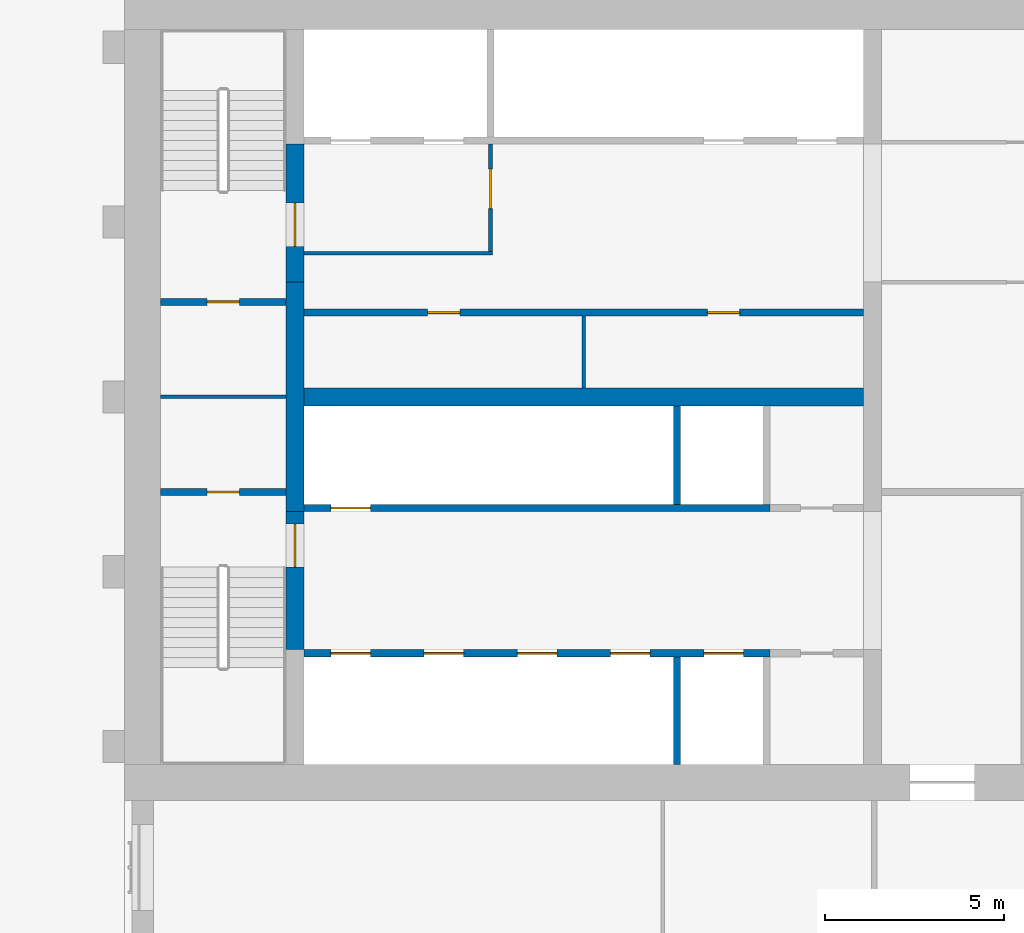
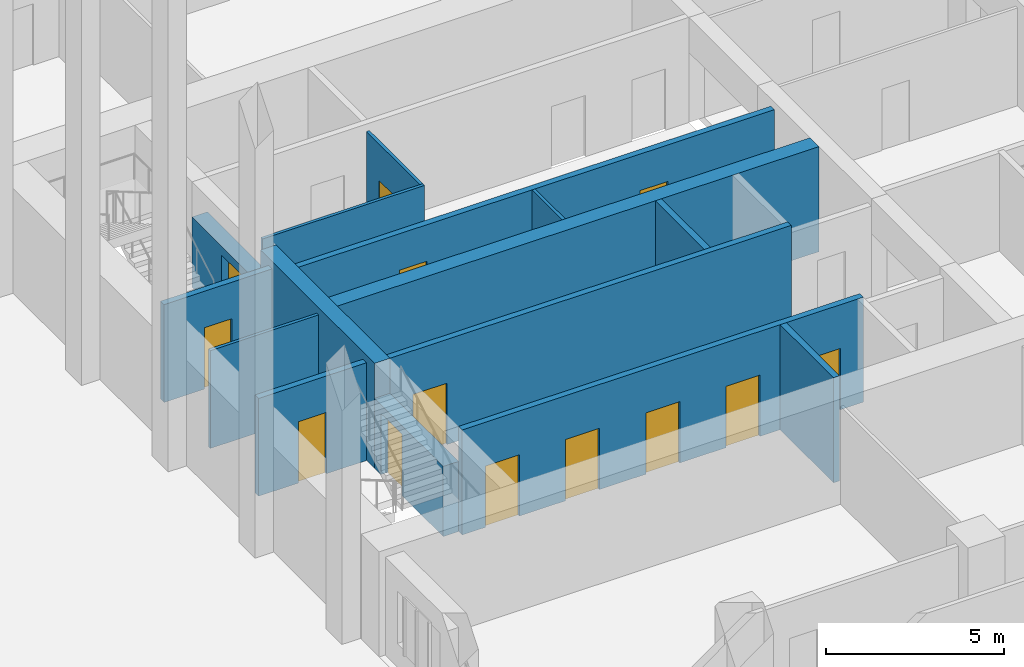
# One storey, part 12 of 27: 15 walls, 13 doors, 13 openings.
"""IFC4 building model written with IfcOpenShell, lengths in metres."""

from ifc_helpers import new_model, si_unit, direction, frame, frame_2d, origin, place, context, subcontext, project, spatial, rectangle, extrude, material, layer, layer_set, type_object, element, fill, save


model = new_model("IFC4")

# Units and contexts
model_context = context("Model", 3, precision=1e-05, world=origin(), true_north=direction((0.0, 1.0)))
body_context = subcontext(model_context, "Body", "Model", "MODEL_VIEW")
ifc_project = project(units=[si_unit("LENGTHUNIT", "METRE"), si_unit("AREAUNIT", "SQUARE_METRE"), si_unit("VOLUMEUNIT", "CUBIC_METRE"), si_unit("PLANEANGLEUNIT", "RADIAN"), si_unit("MASSUNIT", "GRAM", prefix="KILO")], contexts=[model_context])

# Site, building, storey
site_placement = place(None, origin())
site = spatial("IfcSite", under=ifc_project, at=site_placement, CompositionType="ELEMENT")
building_placement = place(site_placement, origin())
building = spatial("IfcBuilding", under=site, at=building_placement, Name="Tamorin Gate", CompositionType="ELEMENT")
storey_placement = place(building_placement, frame((0.0, 0.0, 34.0)))
storey = spatial("IfcBuildingStorey", under=building, at=storey_placement, Name="L06", CompositionType="ELEMENT", Elevation=34.0)

# Wall, openings, doors
ifc_material_1 = material(Name="Concrete C32/40", Category="concrete")
ifc_layer_1 = layer(ifc_material_1, 0.199951171875)
ifc_layer_set_1 = layer_set([ifc_layer_1], Name="Lift lobby face wall 200 EI 120")
wall_type_1 = type_object("IfcWallType", Name="Lift lobby face wall 200 EI 120", PredefinedType="SOLIDWALL", material=ifc_layer_set_1)
wall_1_placement = place(storey_placement, frame((35.0, 64.10009765625, 0.0), z_axis=(0.0, 0.0, 1.0), x_axis=(1.0, 0.0, 0.0)))
wall_1 = element("IfcWall", 1, at=wall_1_placement, inside=storey, type_object=wall_type_1, Name="Lift lobby face wall", PredefinedType="SOLIDWALL", context=body_context, shape_type="SweptSolid", body=[
    extrude(rectangle(XDim=13.0, YDim=0.199951171875, at=frame_2d((6.5, 0.0))), origin(), (0.0, 0.0, 1.0), 3.60009765625),
])
opening_1_placement = place(wall_1_placement, frame((0.75, 0.0, 0.0)))
opening_1 = element("IfcOpeningElement", 2, at=opening_1_placement, cuts=wall_1, Name="Opening LD1", PredefinedType="OPENING", context=body_context, shape_type="SweptSolid", body=[
    extrude(rectangle(XDim=1.10009765625, YDim=2.10009765625, at=frame_2d((0.550048828125, 1.050048828125))), frame((0.0, 0.10986328125, 0.0), z_axis=(0.0, -1.0, 0.0), x_axis=(1.0, 0.0, 0.0)), (0.0, 0.0, 1.0), 0.219970703125),
])
opening_2_placement = place(wall_1_placement, frame((3.35009765625, 0.0, 0.0)))
opening_2 = element("IfcOpeningElement", 3, at=opening_2_placement, cuts=wall_1, Name="Opening LD2", PredefinedType="OPENING", context=body_context, shape_type="SweptSolid", body=[
    extrude(rectangle(XDim=1.10009765625, YDim=2.10009765625, at=frame_2d((0.550048828125, 1.050048828125))), frame((0.0, 0.10986328125, 0.0), z_axis=(0.0, -1.0, 0.0), x_axis=(1.0, 0.0, 0.0)), (0.0, 0.0, 1.0), 0.219970703125),
])
opening_3_placement = place(wall_1_placement, frame((5.949951171875, 0.0, 0.0)))
opening_3 = element("IfcOpeningElement", 4, at=opening_3_placement, cuts=wall_1, Name="Opening LD3", PredefinedType="OPENING", context=body_context, shape_type="SweptSolid", body=[
    extrude(rectangle(XDim=1.10009765625, YDim=2.10009765625, at=frame_2d((0.550048828125, 1.050048828125))), frame((0.0, 0.10986328125, 0.0), z_axis=(0.0, -1.0, 0.0), x_axis=(1.0, 0.0, 0.0)), (0.0, 0.0, 1.0), 0.219970703125),
])
opening_4_placement = place(wall_1_placement, frame((8.550048828125, 0.0, 0.0)))
opening_4 = element("IfcOpeningElement", 5, at=opening_4_placement, cuts=wall_1, Name="Opening LD4", PredefinedType="OPENING", context=body_context, shape_type="SweptSolid", body=[
    extrude(rectangle(XDim=1.10009765625, YDim=2.10009765625, at=frame_2d((0.550048828125, 1.050048828125))), frame((0.0, 0.10986328125, 0.0), z_axis=(0.0, -1.0, 0.0), x_axis=(1.0, 0.0, 0.0)), (0.0, 0.0, 1.0), 0.219970703125),
])
opening_5_placement = place(wall_1_placement, frame((11.14990234375, 0.0, 0.0)))
opening_5 = element("IfcOpeningElement", 6, at=opening_5_placement, cuts=wall_1, Name="Opening LD5", PredefinedType="OPENING", context=body_context, shape_type="SweptSolid", body=[
    extrude(rectangle(XDim=1.10009765625, YDim=2.10009765625, at=frame_2d((0.550048828125, 1.050048828125))), frame((0.0, 0.10986328125, 0.0), z_axis=(0.0, -1.0, 0.0), x_axis=(1.0, 0.0, 0.0)), (0.0, 0.0, 1.0), 0.219970703125),
])
ifc_material_2 = material(Name="Stainless steel sliding door", Category="steel")
door_type_1 = type_object("IfcDoorType", Name="Lift landing door 1100 x 2100 E 90", OperationType="DOUBLE_DOOR_SLIDING", PredefinedType="DOOR", material=ifc_material_2)
door_1_placement = place(opening_1_placement, origin())
door_1 = element("IfcDoor", 7, at=door_1_placement, inside=storey, type_object=door_type_1, Name="LR1 landing door", OperationType="DOUBLE_DOOR_SLIDING", OverallHeight=2.10009765625, OverallWidth=1.10009765625, PredefinedType="DOOR", context=body_context, shape_type="SweptSolid", body=[
    extrude(rectangle(XDim=1.10009765625, YDim=2.10009765625, at=frame_2d((0.550048828125, 1.050048828125))), frame((0.0, 0.02490234375, 0.0), z_axis=(0.0, -1.0, 0.0), x_axis=(1.0, 0.0, 0.0)), (0.0, 0.0, 1.0), 0.050048828125),
])
fill(opening_1, door_1)
door_2_placement = place(opening_2_placement, origin())
door_2 = element("IfcDoor", 8, at=door_2_placement, inside=storey, type_object=door_type_1, Name="LR2 landing door", OperationType="DOUBLE_DOOR_SLIDING", OverallHeight=2.10009765625, OverallWidth=1.10009765625, PredefinedType="DOOR", context=body_context, shape_type="SweptSolid", body=[
    extrude(rectangle(XDim=1.10009765625, YDim=2.10009765625, at=frame_2d((0.550048828125, 1.050048828125))), frame((0.0, 0.02490234375, 0.0), z_axis=(0.0, -1.0, 0.0), x_axis=(1.0, 0.0, 0.0)), (0.0, 0.0, 1.0), 0.050048828125),
])
fill(opening_2, door_2)
door_3_placement = place(opening_3_placement, origin())
door_3 = element("IfcDoor", 9, at=door_3_placement, inside=storey, type_object=door_type_1, Name="LR3 landing door", OperationType="DOUBLE_DOOR_SLIDING", OverallHeight=2.10009765625, OverallWidth=1.10009765625, PredefinedType="DOOR", context=body_context, shape_type="SweptSolid", body=[
    extrude(rectangle(XDim=1.10009765625, YDim=2.10009765625, at=frame_2d((0.550048828125, 1.050048828125))), frame((0.0, 0.02490234375, 0.0), z_axis=(0.0, -1.0, 0.0), x_axis=(1.0, 0.0, 0.0)), (0.0, 0.0, 1.0), 0.050048828125),
])
fill(opening_3, door_3)
door_4_placement = place(opening_4_placement, origin())
door_4 = element("IfcDoor", 10, at=door_4_placement, inside=storey, type_object=door_type_1, Name="LR4 landing door", OperationType="DOUBLE_DOOR_SLIDING", OverallHeight=2.10009765625, OverallWidth=1.10009765625, PredefinedType="DOOR", context=body_context, shape_type="SweptSolid", body=[
    extrude(rectangle(XDim=1.10009765625, YDim=2.10009765625, at=frame_2d((0.550048828125, 1.050048828125))), frame((0.0, 0.02490234375, 0.0), z_axis=(0.0, -1.0, 0.0), x_axis=(1.0, 0.0, 0.0)), (0.0, 0.0, 1.0), 0.050048828125),
])
fill(opening_4, door_4)
door_5_placement = place(opening_5_placement, origin())
door_5 = element("IfcDoor", 11, at=door_5_placement, inside=storey, type_object=door_type_1, Name="LR5 landing door", OperationType="DOUBLE_DOOR_SLIDING", OverallHeight=2.10009765625, OverallWidth=1.10009765625, PredefinedType="DOOR", context=body_context, shape_type="SweptSolid", body=[
    extrude(rectangle(XDim=1.10009765625, YDim=2.10009765625, at=frame_2d((0.550048828125, 1.050048828125))), frame((0.0, 0.02490234375, 0.0), z_axis=(0.0, -1.0, 0.0), x_axis=(1.0, 0.0, 0.0)), (0.0, 0.0, 1.0), 0.050048828125),
])
fill(opening_5, door_5)

# Wall, opening, door
wall_2_placement = place(storey_placement, frame((35.0, 68.14990234375, 0.0), z_axis=(0.0, 0.0, 1.0), x_axis=(1.0, 0.0, 0.0)))
wall_2 = element("IfcWall", 12, at=wall_2_placement, inside=storey, type_object=wall_type_1, Name="Lift lobby face wall", PredefinedType="SOLIDWALL", context=body_context, shape_type="SweptSolid", body=[
    extrude(rectangle(XDim=13.0, YDim=0.199951171875, at=frame_2d((6.5, 0.0))), origin(), (0.0, 0.0, 1.0), 3.60009765625),
])
opening_6_placement = place(wall_2_placement, frame((0.75, 0.0, 0.0)))
opening_6 = element("IfcOpeningElement", 13, at=opening_6_placement, cuts=wall_2, Name="Opening LD6", PredefinedType="OPENING", context=body_context, shape_type="SweptSolid", body=[
    extrude(rectangle(XDim=1.10009765625, YDim=2.10009765625, at=frame_2d((0.550048828125, 1.050048828125))), frame((0.0, 0.10986328125, 0.0), z_axis=(0.0, -1.0, 0.0), x_axis=(1.0, 0.0, 0.0)), (0.0, 0.0, 1.0), 0.219970703125),
])
door_6_placement = place(opening_6_placement, origin())
door_6 = element("IfcDoor", 14, at=door_6_placement, inside=storey, type_object=door_type_1, Name="LR6 landing door", OperationType="DOUBLE_DOOR_SLIDING", OverallHeight=2.10009765625, OverallWidth=1.10009765625, PredefinedType="DOOR", context=body_context, shape_type="SweptSolid", body=[
    extrude(rectangle(XDim=1.10009765625, YDim=2.10009765625, at=frame_2d((0.550048828125, 1.050048828125))), frame((0.0, 0.02490234375, 0.0), z_axis=(0.0, -1.0, 0.0), x_axis=(1.0, 0.0, 0.0)), (0.0, 0.0, 1.0), 0.050048828125),
])
fill(opening_6, door_6)

# Walls
ifc_layer_2 = layer(ifc_material_1, 0.199951171875)
ifc_layer_set_2 = layer_set([ifc_layer_2], Name="Lift shaft wall 200 EI 120")
wall_type_2 = type_object("IfcWallType", Name="Lift shaft wall 200 EI 120", PredefinedType="SOLIDWALL", material=ifc_layer_set_2)
wall_3_placement = place(storey_placement, frame((45.39990234375, 61.0, 0.0), z_axis=(0.0, 0.0, 1.0), x_axis=(0.0, 1.0, 0.0)))
element("IfcWall", 15, at=wall_3_placement, inside=storey, type_object=wall_type_2, Name="Lift shaft wall", PredefinedType="SOLIDWALL", context=body_context, shape_type="SweptSolid", body=[
    extrude(rectangle(XDim=3.0, YDim=0.199951171875, at=frame_2d((1.5, 0.0))), origin(), (0.0, 0.0, 1.0), 3.60009765625),
])
wall_4_placement = place(storey_placement, frame((45.39990234375, 68.25, 0.0), z_axis=(0.0, 0.0, 1.0), x_axis=(0.0, 1.0, 0.0)))
element("IfcWall", 16, at=wall_4_placement, inside=storey, type_object=wall_type_2, Name="Lift shaft wall", PredefinedType="SOLIDWALL", context=body_context, shape_type="SweptSolid", body=[
    extrude(rectangle(XDim=2.75, YDim=0.199951171875, at=frame_2d((1.375, 0.0))), origin(), (0.0, 0.0, 1.0), 3.60009765625),
])
ifc_material_3 = material(Name="Fire-rated gypsum board partition")
ifc_layer_3 = layer(ifc_material_3, 0.10009765625)
ifc_layer_set_3 = layer_set([ifc_layer_3], Name="Lobby wall 100 EI 60")
wall_type_3 = type_object("IfcWallType", Name="Lobby wall 100 EI 60", PredefinedType="PARTITIONING", material=ifc_layer_set_3)
wall_5_placement = place(storey_placement, frame((35.0, 75.25, 0.0), z_axis=(0.0, 0.0, 1.0), x_axis=(1.0, 0.0, 0.0)))
element("IfcWall", 17, at=wall_5_placement, inside=storey, type_object=wall_type_3, Name="Firefighting lobby wall", PredefinedType="PARTITIONING", context=body_context, shape_type="SweptSolid", body=[
    extrude(rectangle(XDim=5.25, YDim=0.10009765625, at=frame_2d((2.625, 0.0))), origin(), (0.0, 0.0, 1.0), 3.35009765625),
])

# Wall, opening, door
wall_6_placement = place(storey_placement, frame((40.199951171875, 75.300048828125, 0.0), z_axis=(0.0, 0.0, 1.0), x_axis=(0.0, 1.0, 0.0)))
wall_6 = element("IfcWall", 18, at=wall_6_placement, inside=storey, type_object=wall_type_3, Name="Firefighting lobby wall", PredefinedType="PARTITIONING", context=body_context, shape_type="SweptSolid", body=[
    extrude(rectangle(XDim=3.0, YDim=0.10009765625, at=frame_2d((1.5, 0.0))), origin(), (0.0, 0.0, 1.0), 3.35009765625),
])
opening_7_placement = place(wall_6_placement, frame((1.199951171875, 0.0, 0.0)))
opening_7 = element("IfcOpeningElement", 19, at=opening_7_placement, cuts=wall_6, Name="Opening DF1", PredefinedType="OPENING", context=body_context, shape_type="SweptSolid", body=[
    extrude(rectangle(XDim=1.10009765625, YDim=2.10009765625, at=frame_2d((0.550048828125, 1.050048828125))), frame((0.0, 0.06005859375, 0.0), z_axis=(0.0, -1.0, 0.0), x_axis=(1.0, 0.0, 0.0)), (0.0, 0.0, 1.0), 0.1201171875),
])
ifc_material_4 = material(Name="Steel fire door", Category="steel")
door_type_2 = type_object("IfcDoorType", Name="Firefighting lobby door 1100 x 2100 EI 90", OperationType="SINGLE_SWING_LEFT", PredefinedType="DOOR", material=ifc_material_4)
door_7_placement = place(opening_7_placement, origin())
door_7 = element("IfcDoor", 20, at=door_7_placement, inside=storey, type_object=door_type_2, Name="Firefighting lobby door", OperationType="SINGLE_SWING_LEFT", OverallHeight=2.10009765625, OverallWidth=1.10009765625, PredefinedType="DOOR", context=body_context, shape_type="SweptSolid", body=[
    extrude(rectangle(XDim=1.10009765625, YDim=2.10009765625, at=frame_2d((0.550048828125, 1.050048828125))), frame((0.0, 0.02490234375, 0.0), z_axis=(0.0, -1.0, 0.0), x_axis=(1.0, 0.0, 0.0)), (0.0, 0.0, 1.0), 0.050048828125),
])
fill(opening_7, door_7)

# Walls
ifc_material_5 = material(Name="Concrete C80/95", Category="concrete")
ifc_layer_4 = layer(ifc_material_5, 0.5)
ifc_layer_set_4 = layer_set([ifc_layer_4], Name="RC core internal wall 500 C80/95")
wall_type_4 = type_object("IfcWallType", Name="RC core internal wall 500 C80/95", PredefinedType="SHEAR", material=ifc_layer_set_4)
wall_7_placement = place(storey_placement, frame((35.0, 71.25, 0.0), z_axis=(0.0, 0.0, 1.0), x_axis=(1.0, 0.0, 0.0)))
element("IfcWall", 21, at=wall_7_placement, inside=storey, type_object=wall_type_4, Name="Core spine wall L06", PredefinedType="SHEAR", context=body_context, shape_type="SweptSolid", body=[
    extrude(rectangle(XDim=15.60009765625, YDim=0.5, at=frame_2d((7.800048828125, 0.0))), origin(), (0.0, 0.0, 1.0), 3.60009765625),
])
wall_8_placement = place(storey_placement, frame((34.75, 68.050048828125, 0.0), z_axis=(0.0, 0.0, 1.0), x_axis=(0.0, 1.0, 0.0)))
element("IfcWall", 22, at=wall_8_placement, inside=storey, type_object=wall_type_4, Name="Core cross wall L06", PredefinedType="SHEAR", context=body_context, shape_type="SweptSolid", body=[
    extrude(rectangle(XDim=6.39990234375, YDim=0.5, at=frame_2d((3.199951171875, 0.0))), origin(), (0.0, 0.0, 1.0), 3.60009765625),
])
ifc_layer_5 = layer(ifc_material_3, 0.10009765625)
ifc_layer_set_5 = layer_set([ifc_layer_5], Name="Riser partition 100 EI 120")
wall_type_5 = type_object("IfcWallType", Name="Riser partition 100 EI 120", PredefinedType="PARTITIONING", material=ifc_layer_set_5)
wall_9_placement = place(storey_placement, frame((31.0, 71.25, 0.0), z_axis=(0.0, 0.0, 1.0), x_axis=(1.0, 0.0, 0.0)))
element("IfcWall", 23, at=wall_9_placement, inside=storey, type_object=wall_type_5, Name="Riser partition", PredefinedType="PARTITIONING", context=body_context, shape_type="SweptSolid", body=[
    extrude(rectangle(XDim=3.5, YDim=0.10009765625, at=frame_2d((1.75, 0.0))), origin(), (0.0, 0.0, 1.0), 3.35009765625),
])

# Wall, openings, doors
ifc_material_6 = material(Name="Gypsum board partition")
ifc_layer_6 = layer(ifc_material_6, 0.199951171875)
ifc_layer_set_6 = layer_set([ifc_layer_6], Name="Service room face wall 200 EI 60")
wall_type_6 = type_object("IfcWallType", Name="Service room face wall 200 EI 60", PredefinedType="PARTITIONING", material=ifc_layer_set_6)
wall_10_placement = place(storey_placement, frame((35.0, 73.60009765625, 0.0), z_axis=(0.0, 0.0, 1.0), x_axis=(1.0, 0.0, 0.0)))
wall_10 = element("IfcWall", 24, at=wall_10_placement, inside=storey, type_object=wall_type_6, Name="Service room face wall", PredefinedType="PARTITIONING", context=body_context, shape_type="SweptSolid", body=[
    extrude(rectangle(XDim=15.60009765625, YDim=0.199951171875, at=frame_2d((7.800048828125, 0.0))), origin(), (0.0, 0.0, 1.0), 3.35009765625),
])
opening_8_placement = place(wall_10_placement, frame((3.449951171875, 0.0, 0.0)))
opening_8 = element("IfcOpeningElement", 25, at=opening_8_placement, cuts=wall_10, Name="Opening DK1", PredefinedType="OPENING", context=body_context, shape_type="SweptSolid", body=[
    extrude(rectangle(XDim=0.89990234375, YDim=2.10009765625, at=frame_2d((0.449951171875, 1.050048828125))), frame((0.0, 0.10986328125, 0.0), z_axis=(0.0, -1.0, 0.0), x_axis=(1.0, 0.0, 0.0)), (0.0, 0.0, 1.0), 0.219970703125),
])
opening_9_placement = place(wall_10_placement, frame((11.25, 0.0, 0.0)))
opening_9 = element("IfcOpeningElement", 26, at=opening_9_placement, cuts=wall_10, Name="Opening DK1", PredefinedType="OPENING", context=body_context, shape_type="SweptSolid", body=[
    extrude(rectangle(XDim=0.89990234375, YDim=2.10009765625, at=frame_2d((0.449951171875, 1.050048828125))), frame((0.0, 0.10986328125, 0.0), z_axis=(0.0, -1.0, 0.0), x_axis=(1.0, 0.0, 0.0)), (0.0, 0.0, 1.0), 0.219970703125),
])
ifc_material_7 = material(Name="Timber fire door", Category="wood")
door_type_3 = type_object("IfcDoorType", Name="Service room door 900 x 2100 EI 60", OperationType="SINGLE_SWING_LEFT", PredefinedType="DOOR", material=ifc_material_7)
door_8_placement = place(opening_8_placement, origin())
door_8 = element("IfcDoor", 27, at=door_8_placement, inside=storey, type_object=door_type_3, Name="Door Housekeeping store", OperationType="SINGLE_SWING_RIGHT", OverallHeight=2.10009765625, OverallWidth=0.89990234375, PredefinedType="DOOR", context=body_context, shape_type="SweptSolid", body=[
    extrude(rectangle(XDim=0.89990234375, YDim=2.10009765625, at=frame_2d((0.449951171875, 1.050048828125))), frame((0.0, 0.02490234375, 0.0), z_axis=(0.0, -1.0, 0.0), x_axis=(1.0, 0.0, 0.0)), (0.0, 0.0, 1.0), 0.050048828125),
])
fill(opening_8, door_8)
door_9_placement = place(opening_9_placement, origin())
door_9 = element("IfcDoor", 28, at=door_9_placement, inside=storey, type_object=door_type_3, Name="Door IT room", OperationType="SINGLE_SWING_LEFT", OverallHeight=2.10009765625, OverallWidth=0.89990234375, PredefinedType="DOOR", context=body_context, shape_type="SweptSolid", body=[
    extrude(rectangle(XDim=0.89990234375, YDim=2.10009765625, at=frame_2d((0.449951171875, 1.050048828125))), frame((0.0, 0.02490234375, 0.0), z_axis=(0.0, -1.0, 0.0), x_axis=(1.0, 0.0, 0.0)), (0.0, 0.0, 1.0), 0.050048828125),
])
fill(opening_9, door_9)

# Wall
ifc_layer_7 = layer(ifc_material_6, 0.10009765625)
ifc_layer_set_7 = layer_set([ifc_layer_7], Name="Service room partition 100 EI 60")
wall_type_7 = type_object("IfcWallType", Name="Service room partition 100 EI 60", PredefinedType="PARTITIONING", material=ifc_layer_set_7)
wall_11_placement = place(storey_placement, frame((42.800048828125, 71.5, 0.0), z_axis=(0.0, 0.0, 1.0), x_axis=(0.0, 1.0, 0.0)))
element("IfcWall", 29, at=wall_11_placement, inside=storey, type_object=wall_type_7, Name="Service room partition", PredefinedType="PARTITIONING", context=body_context, shape_type="SweptSolid", body=[
    extrude(rectangle(XDim=2.0, YDim=0.10009765625, at=frame_2d((1.0, 0.0))), origin(), (0.0, 0.0, 1.0), 3.35009765625),
])

# Wall, opening, door
ifc_material_8 = material(Name="Concrete C40/50", Category="concrete")
ifc_layer_8 = layer(ifc_material_8, 0.199951171875)
ifc_layer_set_8 = layer_set([ifc_layer_8], Name="Stair enclosure wall 200 EI 120 C40/50")
wall_type_8 = type_object("IfcWallType", Name="Stair enclosure wall 200 EI 120 C40/50", PredefinedType="SOLIDWALL", material=ifc_layer_set_8)
wall_12_placement = place(storey_placement, frame((31.0, 68.60009765625, 0.0), z_axis=(0.0, 0.0, 1.0), x_axis=(1.0, 0.0, 0.0)))
wall_12 = element("IfcWall", 30, at=wall_12_placement, inside=storey, type_object=wall_type_8, Name="Stair enclosure wall", PredefinedType="SOLIDWALL", context=body_context, shape_type="SweptSolid", body=[
    extrude(rectangle(XDim=3.5, YDim=0.199951171875, at=frame_2d((1.75, 0.0))), origin(), (0.0, 0.0, 1.0), 3.35009765625),
])
opening_10_placement = place(wall_12_placement, frame((1.300048828125, 0.0, 0.0)))
opening_10 = element("IfcOpeningElement", 31, at=opening_10_placement, cuts=wall_12, Name="Opening DR1", PredefinedType="OPENING", context=body_context, shape_type="SweptSolid", body=[
    extrude(rectangle(XDim=0.89990234375, YDim=2.10009765625, at=frame_2d((0.449951171875, 1.050048828125))), frame((0.0, 0.10986328125, 0.0), z_axis=(0.0, -1.0, 0.0), x_axis=(1.0, 0.0, 0.0)), (0.0, 0.0, 1.0), 0.219970703125),
])
door_type_4 = type_object("IfcDoorType", Name="Riser access door 900 x 2100 EI 120", OperationType="SINGLE_SWING_LEFT", PredefinedType="DOOR", material=ifc_material_4)
door_10_placement = place(opening_10_placement, origin())
door_10 = element("IfcDoor", 32, at=door_10_placement, inside=storey, type_object=door_type_4, Name="Electrical riser door", OperationType="SINGLE_SWING_LEFT", OverallHeight=2.10009765625, OverallWidth=0.89990234375, PredefinedType="DOOR", context=body_context, shape_type="SweptSolid", body=[
    extrude(rectangle(XDim=0.89990234375, YDim=2.10009765625, at=frame_2d((0.449951171875, 1.050048828125))), frame((0.0, 0.02490234375, 0.0), z_axis=(0.0, -1.0, 0.0), x_axis=(1.0, 0.0, 0.0)), (0.0, 0.0, 1.0), 0.050048828125),
])
fill(opening_10, door_10)

wall_13_placement = place(storey_placement, frame((31.0, 73.89990234375, 0.0), z_axis=(0.0, 0.0, 1.0), x_axis=(1.0, 0.0, 0.0)))
wall_13 = element("IfcWall", 33, at=wall_13_placement, inside=storey, type_object=wall_type_8, Name="Stair enclosure wall", PredefinedType="SOLIDWALL", context=body_context, shape_type="SweptSolid", body=[
    extrude(rectangle(XDim=3.5, YDim=0.199951171875, at=frame_2d((1.75, 0.0))), origin(), (0.0, 0.0, 1.0), 3.35009765625),
])
opening_11_placement = place(wall_13_placement, frame((1.300048828125, 0.0, 0.0)))
opening_11 = element("IfcOpeningElement", 34, at=opening_11_placement, cuts=wall_13, Name="Opening DR1", PredefinedType="OPENING", context=body_context, shape_type="SweptSolid", body=[
    extrude(rectangle(XDim=0.89990234375, YDim=2.10009765625, at=frame_2d((0.449951171875, 1.050048828125))), frame((0.0, 0.10986328125, 0.0), z_axis=(0.0, -1.0, 0.0), x_axis=(1.0, 0.0, 0.0)), (0.0, 0.0, 1.0), 0.219970703125),
])
door_11_placement = place(opening_11_placement, origin())
door_11 = element("IfcDoor", 35, at=door_11_placement, inside=storey, type_object=door_type_4, Name="Communications riser door", OperationType="SINGLE_SWING_RIGHT", OverallHeight=2.10009765625, OverallWidth=0.89990234375, PredefinedType="DOOR", context=body_context, shape_type="SweptSolid", body=[
    extrude(rectangle(XDim=0.89990234375, YDim=2.10009765625, at=frame_2d((0.449951171875, 1.050048828125))), frame((0.0, 0.02490234375, 0.0), z_axis=(0.0, -1.0, 0.0), x_axis=(1.0, 0.0, 0.0)), (0.0, 0.0, 1.0), 0.050048828125),
])
fill(opening_11, door_11)

ifc_layer_9 = layer(ifc_material_1, 0.5)
ifc_layer_set_9 = layer_set([ifc_layer_9], Name="Stair lobby infill wall 500 EI 120")
wall_type_9 = type_object("IfcWallType", Name="Stair lobby infill wall 500 EI 120", PredefinedType="SOLIDWALL", material=ifc_layer_set_9)
wall_14_placement = place(storey_placement, frame((34.75, 64.199951171875, 0.0), z_axis=(0.0, 0.0, 1.0), x_axis=(0.0, 1.0, 0.0)))
wall_14 = element("IfcWall", 36, at=wall_14_placement, inside=storey, type_object=wall_type_9, Name="Stair lobby infill wall", PredefinedType="SOLIDWALL", context=body_context, shape_type="SweptSolid", body=[
    extrude(rectangle(XDim=3.85009765625, YDim=0.5, at=frame_2d((1.925048828125, 0.0))), origin(), (0.0, 0.0, 1.0), 2.39990234375),
])
opening_12_placement = place(wall_14_placement, frame((2.300048828125, 0.0, 0.0)))
opening_12 = element("IfcOpeningElement", 37, at=opening_12_placement, cuts=wall_14, Name="Opening DS1", PredefinedType="OPENING", context=body_context, shape_type="SweptSolid", body=[
    extrude(rectangle(XDim=1.199951171875, YDim=2.10009765625, at=frame_2d((0.60009765625, 1.050048828125))), frame((0.0, 0.260009765625, 0.0), z_axis=(0.0, -1.0, 0.0), x_axis=(1.0, 0.0, 0.0)), (0.0, 0.0, 1.0), 0.52001953125),
])
door_type_5 = type_object("IfcDoorType", Name="Stair door 1200 x 2100 EI 90", OperationType="SINGLE_SWING_LEFT", PredefinedType="DOOR", material=ifc_material_4)
door_12_placement = place(opening_12_placement, origin())
door_12 = element("IfcDoor", 38, at=door_12_placement, inside=storey, type_object=door_type_5, Name="ST1 door", OperationType="SINGLE_SWING_LEFT", OverallHeight=2.10009765625, OverallWidth=1.199951171875, PredefinedType="DOOR", context=body_context, shape_type="SweptSolid", body=[
    extrude(rectangle(XDim=1.199951171875, YDim=2.10009765625, at=frame_2d((0.60009765625, 1.050048828125))), frame((0.0, 0.02490234375, 0.0), z_axis=(0.0, -1.0, 0.0), x_axis=(1.0, 0.0, 0.0)), (0.0, 0.0, 1.0), 0.050048828125),
])
fill(opening_12, door_12)

wall_15_placement = place(storey_placement, frame((34.75, 74.449951171875, 0.0), z_axis=(0.0, 0.0, 1.0), x_axis=(0.0, 1.0, 0.0)))
wall_15 = element("IfcWall", 39, at=wall_15_placement, inside=storey, type_object=wall_type_9, Name="Stair lobby infill wall", PredefinedType="SOLIDWALL", context=body_context, shape_type="SweptSolid", body=[
    extrude(rectangle(XDim=3.85009765625, YDim=0.5, at=frame_2d((1.925048828125, 0.0))), origin(), (0.0, 0.0, 1.0), 2.39990234375),
])
opening_13_placement = place(wall_15_placement, frame((1.0, 0.0, 0.0)))
opening_13 = element("IfcOpeningElement", 40, at=opening_13_placement, cuts=wall_15, Name="Opening DS1", PredefinedType="OPENING", context=body_context, shape_type="SweptSolid", body=[
    extrude(rectangle(XDim=1.199951171875, YDim=2.10009765625, at=frame_2d((0.60009765625, 1.050048828125))), frame((0.0, 0.260009765625, 0.0), z_axis=(0.0, -1.0, 0.0), x_axis=(1.0, 0.0, 0.0)), (0.0, 0.0, 1.0), 0.52001953125),
])
door_13_placement = place(opening_13_placement, origin())
door_13 = element("IfcDoor", 41, at=door_13_placement, inside=storey, type_object=door_type_5, Name="ST2 door", OperationType="SINGLE_SWING_RIGHT", OverallHeight=2.10009765625, OverallWidth=1.199951171875, PredefinedType="DOOR", context=body_context, shape_type="SweptSolid", body=[
    extrude(rectangle(XDim=1.199951171875, YDim=2.10009765625, at=frame_2d((0.60009765625, 1.050048828125))), frame((0.0, 0.02490234375, 0.0), z_axis=(0.0, -1.0, 0.0), x_axis=(1.0, 0.0, 0.0)), (0.0, 0.0, 1.0), 0.050048828125),
])
fill(opening_13, door_13)

save(model, "model.ifc")
